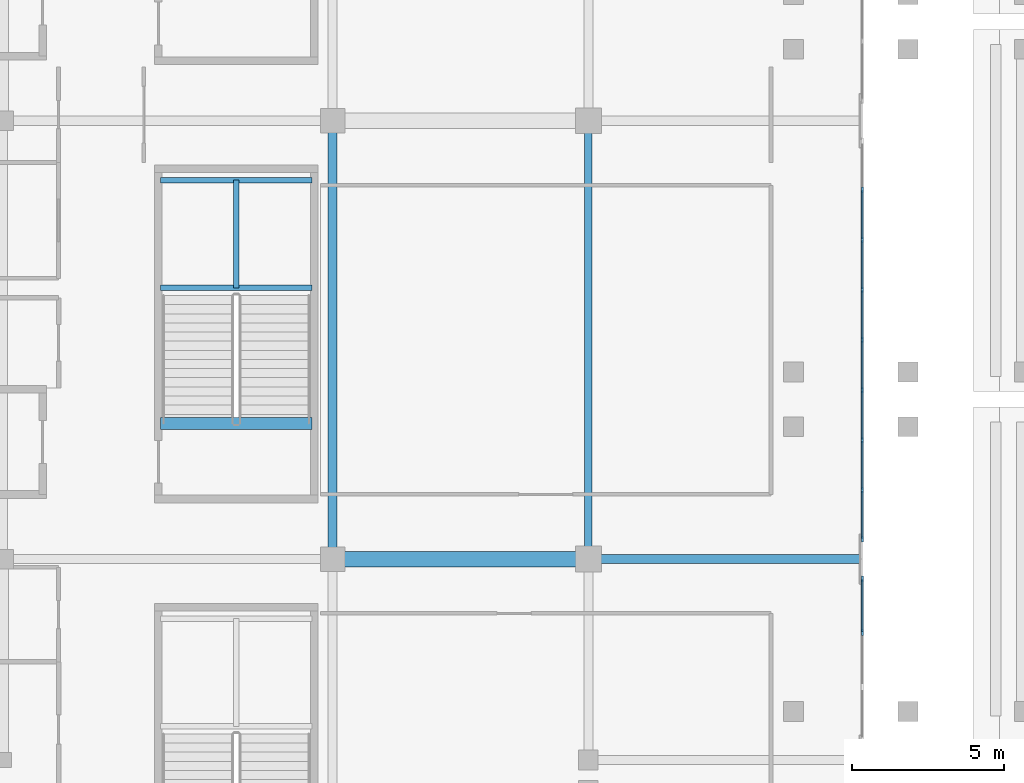
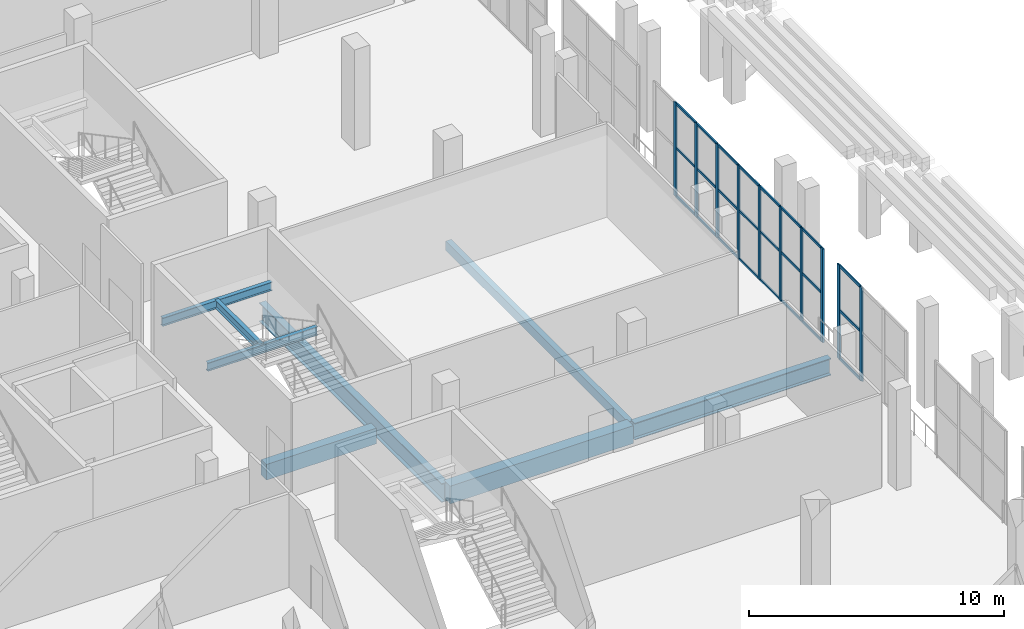
# One storey, part 33 of 142: 34 members, 8 beams, 2 elements without a shape of their own.
"""IFC4 building model written with IfcOpenShell, lengths in metres."""

from ifc_helpers import new_model, si_unit, direction, frame, origin, origin_2d, place, context, subcontext, project, spatial, rectangle, hollow_rectangle, i_section, extrude, material, material_profile, profile_set, type_object, element, aggregate, save


model = new_model("IFC4")

# Units and contexts
model_context = context("Model", 3, precision=1e-05, world=origin(), true_north=direction((0.0, 1.0)))
body_context = subcontext(model_context, "Body", "Model", "MODEL_VIEW")
ifc_project = project(units=[si_unit("LENGTHUNIT", "METRE"), si_unit("AREAUNIT", "SQUARE_METRE"), si_unit("VOLUMEUNIT", "CUBIC_METRE"), si_unit("PLANEANGLEUNIT", "RADIAN"), si_unit("MASSUNIT", "GRAM", prefix="KILO")], contexts=[model_context])

# Site, building, storey
site_placement = place(None, origin())
site = spatial("IfcSite", under=ifc_project, at=site_placement, CompositionType="ELEMENT")
building_placement = place(site_placement, origin())
building = spatial("IfcBuilding", under=site, at=building_placement, Name="Koshinbarg Plaza Stadium", CompositionType="ELEMENT")
storey_placement = place(building_placement, frame((0.0, 0.0, 10.199951171875)))
storey = spatial("IfcBuildingStorey", under=building, at=storey_placement, Name="L02", CompositionType="ELEMENT", Elevation=10.199951171875)

# Beams
ifc_material_1 = material(Name="Concrete C40/50", Category="concrete")
ifc_material_profile_1 = material_profile(ifc_material_1, rectangle(XDim=0.39990234375, YDim=0.75, at=origin_2d()), Name="RC 400x750")
ifc_profile_set_1 = profile_set([ifc_material_profile_1], Name="Concrete C40/50")
beam_type_1 = type_object("IfcBeamType", Name="BM-RCG-03", PredefinedType="USERDEFINED", material=ifc_profile_set_1)
beam_1_placement = place(storey_placement, frame((40.550048828125, 87.56005859375, -0.375), z_axis=(1.0, 0.0, 0.0), x_axis=(0.0, 1.0, 0.0)))
element("IfcBeam", 1, at=beam_1_placement, inside=storey, type_object=beam_type_1, Name="L02 stair landing header beam VX05", ObjectType="GIRDER", PredefinedType="USERDEFINED", context=body_context, shape_type="SweptSolid", body=[
    extrude(rectangle(XDim=0.39990234375, YDim=0.75, at=origin_2d()), origin(), (0.0, 0.0, 1.0), 4.969970703125),
])
ifc_material_profile_2 = material_profile(ifc_material_1, rectangle(XDim=0.5, YDim=0.85009765625, at=origin_2d()), Name="RC 500x850")
ifc_profile_set_2 = profile_set([ifc_material_profile_2], Name="Concrete C40/50")
beam_type_2 = type_object("IfcBeamType", Name="BM-RCG-05", PredefinedType="USERDEFINED", material=ifc_profile_set_2)
beam_2_placement = place(storey_placement, frame((46.260009765625, 83.10009765625, -0.724853515625), z_axis=(1.0, 0.0, 0.0), x_axis=(0.0, 1.0, 0.0)))
element("IfcBeam", 2, at=beam_2_placement, inside=storey, type_object=beam_type_2, Name="L02 X girder M/7-8", ObjectType="GIRDER", PredefinedType="USERDEFINED", context=body_context, shape_type="SweptSolid", body=[
    extrude(rectangle(XDim=0.5, YDim=0.85009765625, at=origin_2d()), origin(), (0.0, 0.0, 1.0), 8.280029296875),
])
ifc_material_2 = material(Name="Steel S355", Category="steel")
ifc_material_profile_3 = material_profile(ifc_material_2, i_section(OverallWidth=0.179931640625, OverallDepth=0.39990234375, WebThickness=0.008544921875, FlangeThickness=0.013427734375, at=origin_2d()), Name="IPE 400")
ifc_profile_set_3 = profile_set([ifc_material_profile_3], Name="Steel S355")
beam_type_3 = type_object("IfcBeamType", Name="BM-SBM-01", PredefinedType="BEAM", material=ifc_profile_set_3)
for number, where, z_axis, x_axis, name in (
    (3, (40.550048828125, 92.010009765625, 1.880126953125), (1.0, 0.0, 0.0), (0.0, 1.0, 0.0), "L02 Upper Vomitory Stair VX05 landing trimmer beam 1"),
    (4, (40.550048828125, 95.550048828125, 1.880126953125), (1.0, 0.0, 0.0), (0.0, 1.0, 0.0), "L02 Upper Vomitory Stair VX05 landing trimmer beam 2"),
):
    element("IfcBeam", number, at=place(storey_placement, frame(where, z_axis=z_axis, x_axis=x_axis)), inside=storey, type_object=beam_type_3, Name=name, PredefinedType="BEAM", context=body_context, shape_type="SweptSolid", body=[
        extrude(i_section(OverallWidth=0.179931640625, OverallDepth=0.39990234375, WebThickness=0.008544921875, FlangeThickness=0.013427734375, at=origin_2d()), origin(), (0.0, 0.0, 1.0), 4.969970703125),
    ])
beam_3_placement = place(storey_placement, frame((43.034912109375, 92.010009765625, 1.880126953125), z_axis=(0.0, 1.0, 0.0), x_axis=(-1.0, 0.0, 0.0)))
element("IfcBeam", 5, at=beam_3_placement, inside=storey, type_object=beam_type_3, Name="L02 Upper Vomitory Stair VX05 landing trimmer beam 3", PredefinedType="BEAM", context=body_context, shape_type="SweptSolid", body=[
    extrude(i_section(OverallWidth=0.179931640625, OverallDepth=0.39990234375, WebThickness=0.008544921875, FlangeThickness=0.013427734375, at=origin_2d()), origin(), (0.0, 0.0, 1.0), 3.5400390625),
])
ifc_material_profile_4 = material_profile(ifc_material_2, i_section(OverallWidth=0.300048828125, OverallDepth=0.800048828125, WebThickness=0.017578125, FlangeThickness=0.032958984375, at=origin_2d()), Name="HEB 800")
ifc_profile_set_4 = profile_set([ifc_material_profile_4], Name="Steel S355")
beam_type_4 = type_object("IfcBeamType", Name="BM-SGIR-04", PredefinedType="USERDEFINED", material=ifc_profile_set_4)
beam_4_placement = place(storey_placement, frame((54.659912109375, 83.10009765625, -0.699951171875), z_axis=(1.0, 0.0, 0.0), x_axis=(0.0, 1.0, 0.0)))
element("IfcBeam", 6, at=beam_4_placement, inside=storey, type_object=beam_type_4, Name="L02 X girder M/8-9", ObjectType="GIRDER", PredefinedType="USERDEFINED", context=body_context, shape_type="SweptSolid", body=[
    extrude(i_section(OverallWidth=0.300048828125, OverallDepth=0.800048828125, WebThickness=0.017578125, FlangeThickness=0.032958984375, at=origin_2d()), origin(), (0.0, 0.0, 1.0), 8.880126953125),
])
ifc_material_profile_5 = material_profile(ifc_material_2, i_section(OverallWidth=0.300048828125, OverallDepth=0.89990234375, WebThickness=0.0185546875, FlangeThickness=0.034912109375, at=origin_2d()), Name="HEB 900")
ifc_profile_set_5 = profile_set([ifc_material_profile_5], Name="Steel S355")
beam_type_5 = type_object("IfcBeamType", Name="BM-SGIR-05", PredefinedType="USERDEFINED", material=ifc_profile_set_5)
beam_5_placement = place(storey_placement, frame((46.199951171875, 83.159912109375, -0.75), z_axis=(0.0, 1.0, 0.0), x_axis=(-1.0, 0.0, 0.0)))
element("IfcBeam", 7, at=beam_5_placement, inside=storey, type_object=beam_type_5, Name="L02 Y girder 7/M-N", ObjectType="GIRDER", PredefinedType="USERDEFINED", context=body_context, shape_type="SweptSolid", body=[
    extrude(i_section(OverallWidth=0.300048828125, OverallDepth=0.89990234375, WebThickness=0.0185546875, FlangeThickness=0.034912109375, at=origin_2d()), origin(), (0.0, 0.0, 1.0), 14.280029296875),
])
ifc_material_profile_6 = material_profile(ifc_material_2, hollow_rectangle(XDim=0.25, YDim=0.449951171875, WallThickness=0.01611328125, at=origin_2d()), Name="RHS 450x250x16")
ifc_profile_set_6 = profile_set([ifc_material_profile_6], Name="Steel S355")
beam_type_6 = type_object("IfcBeamType", Name="BM-SGIR-06", PredefinedType="USERDEFINED", material=ifc_profile_set_6)
beam_6_placement = place(storey_placement, frame((54.60009765625, 83.159912109375, -0.52490234375), z_axis=(0.0, 1.0, 0.0), x_axis=(-1.0, 0.0, 0.0)))
element("IfcBeam", 8, at=beam_6_placement, inside=storey, type_object=beam_type_6, Name="L02 Y girder 8/M-N", ObjectType="GIRDER", PredefinedType="USERDEFINED", context=body_context, shape_type="SweptSolid", body=[
    extrude(hollow_rectangle(XDim=0.25, YDim=0.449951171875, WallThickness=0.01611328125, at=origin_2d()), origin(), (0.0, 0.0, 1.0), 14.280029296875),
])

# Curtain wall, members
ifc_material_3 = material(Name="Thermally broken anodised aluminium and low-E double glazing", Category="aluminium")
curtain_wall_type_1 = type_object("IfcCurtainWallType", Name="CW-SYS-11", PredefinedType="NOTDEFINED", material=ifc_material_3)
curtain_wall_1_placement = place(storey_placement, origin())
curtain_wall_1 = element("IfcCurtainWall", 9, at=curtain_wall_1_placement, inside=storey, type_object=curtain_wall_type_1, Name="L02 unitised curtain wall CW-L02-074", PredefinedType="NOTDEFINED")
ifc_material_4 = material(Name="Anodised aluminium mullion", Category="aluminium")
ifc_material_profile_7 = material_profile(ifc_material_4, rectangle(XDim=0.070068359375, YDim=0.179931640625, at=origin_2d()), Name="ALU 70x180")
ifc_profile_set_7 = profile_set([ifc_material_profile_7], Name="Anodised aluminium mullion")
member_type_1 = type_object("IfcMemberType", Name="CW-MUL-03", PredefinedType="MULLION", material=ifc_profile_set_7)
member_1_placement = place(storey_placement, frame((63.60009765625, 95.235107421875, 0.0), z_axis=(0.0, 0.0, 1.0), x_axis=(1.0, 0.0, 0.0)))
member_1 = element("IfcMember", 10, at=member_1_placement, type_object=member_type_1, Name="CW11 mullion 2", PredefinedType="MULLION", context=body_context, shape_type="SweptSolid", body=[
    extrude(rectangle(XDim=0.070068359375, YDim=0.179931640625, at=origin_2d()), origin(), (0.0, 0.0, 1.0), 4.47998046875),
])
member_2_placement = place(storey_placement, frame((63.60009765625, 93.590087890625, 0.0), z_axis=(0.0, 0.0, 1.0), x_axis=(1.0, 0.0, 0.0)))
member_2 = element("IfcMember", 11, at=member_2_placement, type_object=member_type_1, Name="CW11 mullion 3", PredefinedType="MULLION", context=body_context, shape_type="SweptSolid", body=[
    extrude(rectangle(XDim=0.070068359375, YDim=0.179931640625, at=origin_2d()), origin(), (0.0, 0.0, 1.0), 4.47998046875),
])
member_3_placement = place(storey_placement, frame((63.60009765625, 91.945068359375, 0.0), z_axis=(0.0, 0.0, 1.0), x_axis=(1.0, 0.0, 0.0)))
member_3 = element("IfcMember", 12, at=member_3_placement, type_object=member_type_1, Name="CW11 mullion 4", PredefinedType="MULLION", context=body_context, shape_type="SweptSolid", body=[
    extrude(rectangle(XDim=0.070068359375, YDim=0.179931640625, at=origin_2d()), origin(), (0.0, 0.0, 1.0), 4.47998046875),
])
member_4_placement = place(storey_placement, frame((63.60009765625, 90.300048828125, 0.0), z_axis=(0.0, 0.0, 1.0), x_axis=(1.0, 0.0, 0.0)))
member_4 = element("IfcMember", 13, at=member_4_placement, type_object=member_type_1, Name="CW11 mullion 5", PredefinedType="MULLION", context=body_context, shape_type="SweptSolid", body=[
    extrude(rectangle(XDim=0.070068359375, YDim=0.179931640625, at=origin_2d()), origin(), (0.0, 0.0, 1.0), 4.47998046875),
])
member_5_placement = place(storey_placement, frame((63.60009765625, 88.655029296875, 0.0), z_axis=(0.0, 0.0, 1.0), x_axis=(1.0, 0.0, 0.0)))
member_5 = element("IfcMember", 14, at=member_5_placement, type_object=member_type_1, Name="CW11 mullion 6", PredefinedType="MULLION", context=body_context, shape_type="SweptSolid", body=[
    extrude(rectangle(XDim=0.070068359375, YDim=0.179931640625, at=origin_2d()), origin(), (0.0, 0.0, 1.0), 4.47998046875),
])
member_6_placement = place(storey_placement, frame((63.60009765625, 87.010009765625, 0.0), z_axis=(0.0, 0.0, 1.0), x_axis=(1.0, 0.0, 0.0)))
member_6 = element("IfcMember", 15, at=member_6_placement, type_object=member_type_1, Name="CW11 mullion 7", PredefinedType="MULLION", context=body_context, shape_type="SweptSolid", body=[
    extrude(rectangle(XDim=0.070068359375, YDim=0.179931640625, at=origin_2d()), origin(), (0.0, 0.0, 1.0), 4.47998046875),
])
member_7_placement = place(storey_placement, frame((63.60009765625, 85.364990234375, 0.0), z_axis=(0.0, 0.0, 1.0), x_axis=(1.0, 0.0, 0.0)))
member_7 = element("IfcMember", 16, at=member_7_placement, type_object=member_type_1, Name="CW11 mullion 8", PredefinedType="MULLION", context=body_context, shape_type="SweptSolid", body=[
    extrude(rectangle(XDim=0.070068359375, YDim=0.179931640625, at=origin_2d()), origin(), (0.0, 0.0, 1.0), 4.47998046875),
])
member_8_placement = place(storey_placement, frame((63.60009765625, 83.75, 0.0), z_axis=(0.0, 0.0, 1.0), x_axis=(1.0, 0.0, 0.0)))
member_8 = element("IfcMember", 17, at=member_8_placement, type_object=member_type_1, Name="CW11 mullion 9", PredefinedType="MULLION", context=body_context, shape_type="SweptSolid", body=[
    extrude(rectangle(XDim=0.070068359375, YDim=0.179931640625, at=origin_2d()), origin(), (0.0, 0.0, 1.0), 4.47998046875),
])

curtain_wall_type_2 = type_object("IfcCurtainWallType", Name="CW-SYS-12", PredefinedType="NOTDEFINED", material=ifc_material_3)
curtain_wall_2_placement = place(storey_placement, origin())
curtain_wall_2 = element("IfcCurtainWall", 18, at=curtain_wall_2_placement, inside=storey, type_object=curtain_wall_type_2, Name="L02 unitised curtain wall CW-L02-075", PredefinedType="NOTDEFINED")
ifc_material_profile_8 = material_profile(ifc_material_4, rectangle(XDim=0.070068359375, YDim=0.199951171875, at=origin_2d()), Name="ALU 70x200")
ifc_profile_set_8 = profile_set([ifc_material_profile_8], Name="Anodised aluminium mullion")
member_type_2 = type_object("IfcMemberType", Name="CW-MUL-04", PredefinedType="MULLION", material=ifc_profile_set_8)
member_9_placement = place(storey_placement, frame((63.60009765625, 82.449951171875, 0.0), z_axis=(0.0, 0.0, 1.0), x_axis=(1.0, 0.0, 0.0)))
member_9 = element("IfcMember", 19, at=member_9_placement, type_object=member_type_2, Name="CW12 mullion 1", PredefinedType="MULLION", context=body_context, shape_type="SweptSolid", body=[
    extrude(rectangle(XDim=0.070068359375, YDim=0.199951171875, at=origin_2d()), origin(), (0.0, 0.0, 1.0), 4.47998046875),
])
member_10_placement = place(storey_placement, frame((63.60009765625, 80.693359375, 0.0), z_axis=(0.0, 0.0, 1.0), x_axis=(1.0, 0.0, 0.0)))
member_10 = element("IfcMember", 20, at=member_10_placement, type_object=member_type_2, Name="CW12 mullion 2", PredefinedType="MULLION", context=body_context, shape_type="SweptSolid", body=[
    extrude(rectangle(XDim=0.070068359375, YDim=0.199951171875, at=origin_2d()), origin(), (0.0, 0.0, 1.0), 4.47998046875),
])

# Member
ifc_material_5 = material(Name="Anodised aluminium transom", Category="aluminium")
ifc_material_profile_9 = material_profile(ifc_material_5, rectangle(XDim=0.06005859375, YDim=0.110107421875, at=origin_2d()), Name="ALU 60x110")
ifc_profile_set_9 = profile_set([ifc_material_profile_9], Name="Anodised aluminium transom")
member_type_3 = type_object("IfcMemberType", Name="CW-TRN-01", PredefinedType="USERDEFINED", material=ifc_profile_set_9)
member_11_placement = place(storey_placement, frame((63.60009765625, 95.205078125, 0.030029296875), z_axis=(0.0, -1.0, 0.0), x_axis=(1.0, 0.0, 0.0)))
member_11 = element("IfcMember", 21, at=member_11_placement, type_object=member_type_3, Name="CW11 transom 2.1", ObjectType="TRANSOM", PredefinedType="USERDEFINED", context=body_context, shape_type="SweptSolid", body=[
    extrude(rectangle(XDim=0.06005859375, YDim=0.110107421875, at=origin_2d()), origin(), (0.0, 0.0, 1.0), 1.5849609375),
])

member_12_placement = place(storey_placement, frame((63.60009765625, 95.205078125, 2.32958984375), z_axis=(0.0, -1.0, 0.0), x_axis=(1.0, 0.0, 0.0)))
member_12 = element("IfcMember", 22, at=member_12_placement, type_object=member_type_3, Name="CW11 transom 2.2", ObjectType="TRANSOM", PredefinedType="USERDEFINED", context=body_context, shape_type="SweptSolid", body=[
    extrude(rectangle(XDim=0.06005859375, YDim=0.110107421875, at=origin_2d()), origin(), (0.0, 0.0, 1.0), 1.5849609375),
])

member_13_placement = place(storey_placement, frame((63.60009765625, 95.205078125, 4.449951171875), z_axis=(0.0, -1.0, 0.0), x_axis=(1.0, 0.0, 0.0)))
member_13 = element("IfcMember", 23, at=member_13_placement, type_object=member_type_3, Name="CW11 transom 2.3", ObjectType="TRANSOM", PredefinedType="USERDEFINED", context=body_context, shape_type="SweptSolid", body=[
    extrude(rectangle(XDim=0.06005859375, YDim=0.110107421875, at=origin_2d()), origin(), (0.0, 0.0, 1.0), 1.5849609375),
])

member_14_placement = place(storey_placement, frame((63.60009765625, 93.56005859375, 0.030029296875), z_axis=(0.0, -1.0, 0.0), x_axis=(1.0, 0.0, 0.0)))
member_14 = element("IfcMember", 24, at=member_14_placement, type_object=member_type_3, Name="CW11 transom 3.1", ObjectType="TRANSOM", PredefinedType="USERDEFINED", context=body_context, shape_type="SweptSolid", body=[
    extrude(rectangle(XDim=0.06005859375, YDim=0.110107421875, at=origin_2d()), origin(), (0.0, 0.0, 1.0), 1.5849609375),
])

member_15_placement = place(storey_placement, frame((63.60009765625, 93.56005859375, 2.32958984375), z_axis=(0.0, -1.0, 0.0), x_axis=(1.0, 0.0, 0.0)))
member_15 = element("IfcMember", 25, at=member_15_placement, type_object=member_type_3, Name="CW11 transom 3.2", ObjectType="TRANSOM", PredefinedType="USERDEFINED", context=body_context, shape_type="SweptSolid", body=[
    extrude(rectangle(XDim=0.06005859375, YDim=0.110107421875, at=origin_2d()), origin(), (0.0, 0.0, 1.0), 1.5849609375),
])

member_16_placement = place(storey_placement, frame((63.60009765625, 93.56005859375, 4.449951171875), z_axis=(0.0, -1.0, 0.0), x_axis=(1.0, 0.0, 0.0)))
member_16 = element("IfcMember", 26, at=member_16_placement, type_object=member_type_3, Name="CW11 transom 3.3", ObjectType="TRANSOM", PredefinedType="USERDEFINED", context=body_context, shape_type="SweptSolid", body=[
    extrude(rectangle(XDim=0.06005859375, YDim=0.110107421875, at=origin_2d()), origin(), (0.0, 0.0, 1.0), 1.5849609375),
])

member_17_placement = place(storey_placement, frame((63.60009765625, 91.9150390625, 0.030029296875), z_axis=(0.0, -1.0, 0.0), x_axis=(1.0, 0.0, 0.0)))
member_17 = element("IfcMember", 27, at=member_17_placement, type_object=member_type_3, Name="CW11 transom 4.1", ObjectType="TRANSOM", PredefinedType="USERDEFINED", context=body_context, shape_type="SweptSolid", body=[
    extrude(rectangle(XDim=0.06005859375, YDim=0.110107421875, at=origin_2d()), origin(), (0.0, 0.0, 1.0), 1.5849609375),
])

member_18_placement = place(storey_placement, frame((63.60009765625, 91.9150390625, 2.32958984375), z_axis=(0.0, -1.0, 0.0), x_axis=(1.0, 0.0, 0.0)))
member_18 = element("IfcMember", 28, at=member_18_placement, type_object=member_type_3, Name="CW11 transom 4.2", ObjectType="TRANSOM", PredefinedType="USERDEFINED", context=body_context, shape_type="SweptSolid", body=[
    extrude(rectangle(XDim=0.06005859375, YDim=0.110107421875, at=origin_2d()), origin(), (0.0, 0.0, 1.0), 1.5849609375),
])

member_19_placement = place(storey_placement, frame((63.60009765625, 91.9150390625, 4.449951171875), z_axis=(0.0, -1.0, 0.0), x_axis=(1.0, 0.0, 0.0)))
member_19 = element("IfcMember", 29, at=member_19_placement, type_object=member_type_3, Name="CW11 transom 4.3", ObjectType="TRANSOM", PredefinedType="USERDEFINED", context=body_context, shape_type="SweptSolid", body=[
    extrude(rectangle(XDim=0.06005859375, YDim=0.110107421875, at=origin_2d()), origin(), (0.0, 0.0, 1.0), 1.5849609375),
])

member_20_placement = place(storey_placement, frame((63.60009765625, 90.27001953125, 0.030029296875), z_axis=(0.0, -1.0, 0.0), x_axis=(1.0, 0.0, 0.0)))
member_20 = element("IfcMember", 30, at=member_20_placement, type_object=member_type_3, Name="CW11 transom 5.1", ObjectType="TRANSOM", PredefinedType="USERDEFINED", context=body_context, shape_type="SweptSolid", body=[
    extrude(rectangle(XDim=0.06005859375, YDim=0.110107421875, at=origin_2d()), origin(), (0.0, 0.0, 1.0), 1.5849609375),
])

member_21_placement = place(storey_placement, frame((63.60009765625, 90.27001953125, 2.32958984375), z_axis=(0.0, -1.0, 0.0), x_axis=(1.0, 0.0, 0.0)))
member_21 = element("IfcMember", 31, at=member_21_placement, type_object=member_type_3, Name="CW11 transom 5.2", ObjectType="TRANSOM", PredefinedType="USERDEFINED", context=body_context, shape_type="SweptSolid", body=[
    extrude(rectangle(XDim=0.06005859375, YDim=0.110107421875, at=origin_2d()), origin(), (0.0, 0.0, 1.0), 1.5849609375),
])

member_22_placement = place(storey_placement, frame((63.60009765625, 90.27001953125, 4.449951171875), z_axis=(0.0, -1.0, 0.0), x_axis=(1.0, 0.0, 0.0)))
member_22 = element("IfcMember", 32, at=member_22_placement, type_object=member_type_3, Name="CW11 transom 5.3", ObjectType="TRANSOM", PredefinedType="USERDEFINED", context=body_context, shape_type="SweptSolid", body=[
    extrude(rectangle(XDim=0.06005859375, YDim=0.110107421875, at=origin_2d()), origin(), (0.0, 0.0, 1.0), 1.5849609375),
])

member_23_placement = place(storey_placement, frame((63.60009765625, 88.625, 0.030029296875), z_axis=(0.0, -1.0, 0.0), x_axis=(1.0, 0.0, 0.0)))
member_23 = element("IfcMember", 33, at=member_23_placement, type_object=member_type_3, Name="CW11 transom 6.1", ObjectType="TRANSOM", PredefinedType="USERDEFINED", context=body_context, shape_type="SweptSolid", body=[
    extrude(rectangle(XDim=0.06005859375, YDim=0.110107421875, at=origin_2d()), origin(), (0.0, 0.0, 1.0), 1.5849609375),
])

member_24_placement = place(storey_placement, frame((63.60009765625, 88.625, 2.32958984375), z_axis=(0.0, -1.0, 0.0), x_axis=(1.0, 0.0, 0.0)))
member_24 = element("IfcMember", 34, at=member_24_placement, type_object=member_type_3, Name="CW11 transom 6.2", ObjectType="TRANSOM", PredefinedType="USERDEFINED", context=body_context, shape_type="SweptSolid", body=[
    extrude(rectangle(XDim=0.06005859375, YDim=0.110107421875, at=origin_2d()), origin(), (0.0, 0.0, 1.0), 1.5849609375),
])

member_25_placement = place(storey_placement, frame((63.60009765625, 88.625, 4.449951171875), z_axis=(0.0, -1.0, 0.0), x_axis=(1.0, 0.0, 0.0)))
member_25 = element("IfcMember", 35, at=member_25_placement, type_object=member_type_3, Name="CW11 transom 6.3", ObjectType="TRANSOM", PredefinedType="USERDEFINED", context=body_context, shape_type="SweptSolid", body=[
    extrude(rectangle(XDim=0.06005859375, YDim=0.110107421875, at=origin_2d()), origin(), (0.0, 0.0, 1.0), 1.5849609375),
])

member_26_placement = place(storey_placement, frame((63.60009765625, 86.97998046875, 0.030029296875), z_axis=(0.0, -1.0, 0.0), x_axis=(1.0, 0.0, 0.0)))
member_26 = element("IfcMember", 36, at=member_26_placement, type_object=member_type_3, Name="CW11 transom 7.1", ObjectType="TRANSOM", PredefinedType="USERDEFINED", context=body_context, shape_type="SweptSolid", body=[
    extrude(rectangle(XDim=0.06005859375, YDim=0.110107421875, at=origin_2d()), origin(), (0.0, 0.0, 1.0), 1.5849609375),
])

member_27_placement = place(storey_placement, frame((63.60009765625, 86.97998046875, 2.32958984375), z_axis=(0.0, -1.0, 0.0), x_axis=(1.0, 0.0, 0.0)))
member_27 = element("IfcMember", 37, at=member_27_placement, type_object=member_type_3, Name="CW11 transom 7.2", ObjectType="TRANSOM", PredefinedType="USERDEFINED", context=body_context, shape_type="SweptSolid", body=[
    extrude(rectangle(XDim=0.06005859375, YDim=0.110107421875, at=origin_2d()), origin(), (0.0, 0.0, 1.0), 1.5849609375),
])

member_28_placement = place(storey_placement, frame((63.60009765625, 86.97998046875, 4.449951171875), z_axis=(0.0, -1.0, 0.0), x_axis=(1.0, 0.0, 0.0)))
member_28 = element("IfcMember", 38, at=member_28_placement, type_object=member_type_3, Name="CW11 transom 7.3", ObjectType="TRANSOM", PredefinedType="USERDEFINED", context=body_context, shape_type="SweptSolid", body=[
    extrude(rectangle(XDim=0.06005859375, YDim=0.110107421875, at=origin_2d()), origin(), (0.0, 0.0, 1.0), 1.5849609375),
])

member_29_placement = place(storey_placement, frame((63.60009765625, 85.3349609375, 0.030029296875), z_axis=(0.0, -1.0, 0.0), x_axis=(1.0, 0.0, 0.0)))
member_29 = element("IfcMember", 39, at=member_29_placement, type_object=member_type_3, Name="CW11 transom 8.1", ObjectType="TRANSOM", PredefinedType="USERDEFINED", context=body_context, shape_type="SweptSolid", body=[
    extrude(rectangle(XDim=0.06005859375, YDim=0.110107421875, at=origin_2d()), origin(), (0.0, 0.0, 1.0), 1.554931640625),
])

member_30_placement = place(storey_placement, frame((63.60009765625, 85.3349609375, 2.32958984375), z_axis=(0.0, -1.0, 0.0), x_axis=(1.0, 0.0, 0.0)))
member_30 = element("IfcMember", 40, at=member_30_placement, type_object=member_type_3, Name="CW11 transom 8.2", ObjectType="TRANSOM", PredefinedType="USERDEFINED", context=body_context, shape_type="SweptSolid", body=[
    extrude(rectangle(XDim=0.06005859375, YDim=0.110107421875, at=origin_2d()), origin(), (0.0, 0.0, 1.0), 1.554931640625),
])

member_31_placement = place(storey_placement, frame((63.60009765625, 85.3349609375, 4.449951171875), z_axis=(0.0, -1.0, 0.0), x_axis=(1.0, 0.0, 0.0)))
member_31 = element("IfcMember", 41, at=member_31_placement, type_object=member_type_3, Name="CW11 transom 8.3", ObjectType="TRANSOM", PredefinedType="USERDEFINED", context=body_context, shape_type="SweptSolid", body=[
    extrude(rectangle(XDim=0.06005859375, YDim=0.110107421875, at=origin_2d()), origin(), (0.0, 0.0, 1.0), 1.554931640625),
])

aggregate(curtain_wall_1, [member_1, member_2, member_3, member_4, member_5, member_6, member_7, member_8, member_11, member_12, member_13, member_14, member_15, member_16, member_17, member_18, member_19, member_20, member_21, member_22, member_23, member_24, member_25, member_26, member_27, member_28, member_29, member_30, member_31])

ifc_material_profile_10 = material_profile(ifc_material_5, rectangle(XDim=0.06005859375, YDim=0.1298828125, at=origin_2d()), Name="ALU 60x130")
ifc_profile_set_10 = profile_set([ifc_material_profile_10], Name="Anodised aluminium transom")
member_type_4 = type_object("IfcMemberType", Name="CW-TRN-02", PredefinedType="USERDEFINED", material=ifc_profile_set_10)
member_32_placement = place(storey_placement, frame((63.60009765625, 82.419921875, 0.030029296875), z_axis=(0.0, -1.0, 0.0), x_axis=(1.0, 0.0, 0.0)))
member_32 = element("IfcMember", 42, at=member_32_placement, type_object=member_type_4, Name="CW12 transom 1.1", ObjectType="TRANSOM", PredefinedType="USERDEFINED", context=body_context, shape_type="SweptSolid", body=[
    extrude(rectangle(XDim=0.06005859375, YDim=0.1298828125, at=origin_2d()), origin(), (0.0, 0.0, 1.0), 1.696533203125),
])

member_33_placement = place(storey_placement, frame((63.60009765625, 82.419921875, 2.32958984375), z_axis=(0.0, -1.0, 0.0), x_axis=(1.0, 0.0, 0.0)))
member_33 = element("IfcMember", 43, at=member_33_placement, type_object=member_type_4, Name="CW12 transom 1.2", ObjectType="TRANSOM", PredefinedType="USERDEFINED", context=body_context, shape_type="SweptSolid", body=[
    extrude(rectangle(XDim=0.06005859375, YDim=0.1298828125, at=origin_2d()), origin(), (0.0, 0.0, 1.0), 1.696533203125),
])

member_34_placement = place(storey_placement, frame((63.60009765625, 82.419921875, 4.449951171875), z_axis=(0.0, -1.0, 0.0), x_axis=(1.0, 0.0, 0.0)))
member_34 = element("IfcMember", 44, at=member_34_placement, type_object=member_type_4, Name="CW12 transom 1.3", ObjectType="TRANSOM", PredefinedType="USERDEFINED", context=body_context, shape_type="SweptSolid", body=[
    extrude(rectangle(XDim=0.06005859375, YDim=0.1298828125, at=origin_2d()), origin(), (0.0, 0.0, 1.0), 1.696533203125),
])

aggregate(curtain_wall_2, [member_9, member_10, member_32, member_33, member_34])

save(model, "model.ifc")
